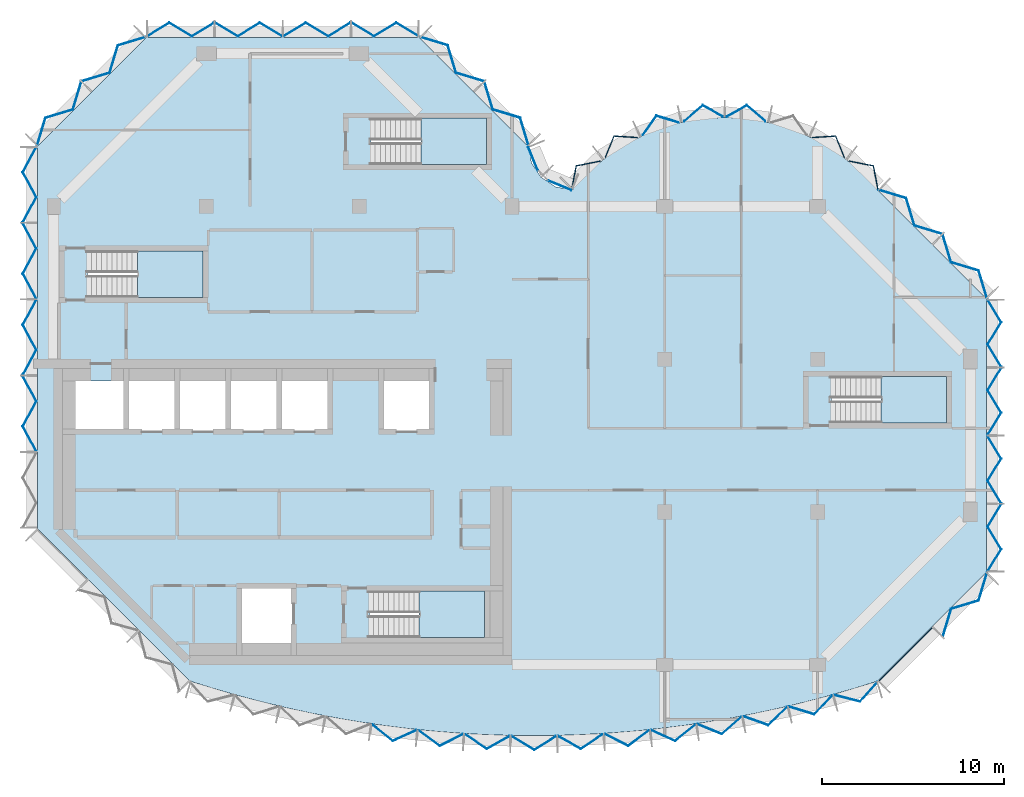
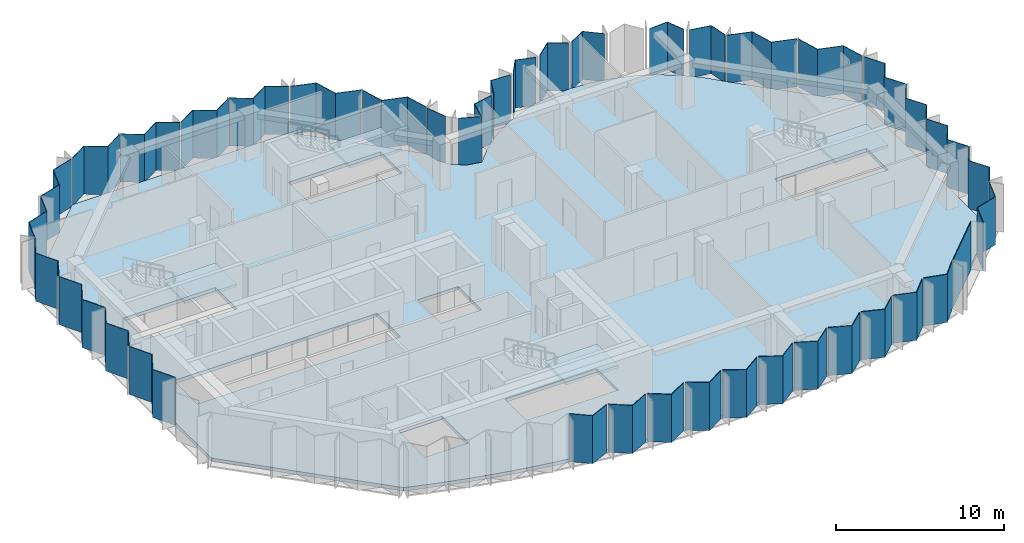
# One storey, part 3 of 10: 40 plates, 5 slabs, 14 elements without a shape of their own.
"""IFC4 building model written with IfcOpenShell, lengths in metres."""

import ifcopenshell
import ifcopenshell.guid

model = None  # the IFC model being written
_history = None  # IfcOwnerHistory: only IFC2X3 demands one
_inside = {}  # id of a spatial element -> (the spatial element, [elements in it])
_under = {}  # id of a project, library or spatial element -> (it, [spatial elements below it])
_declared = {}  # id of a project -> (the project, [libraries it declares])
_typed = {}  # id of a type object -> (the type object, [elements of that type])
_made_of = {}  # id of a material, layer set ... -> (it, [elements and type objects made of it])


def new_model(schema):
    """Start an empty IFC model of exactly this schema.

    Asked for "IFC4X3", IfcOpenShell would pick the latest addendum, in which some entities
    have other attributes; the version numbers below select the first issue.
    IFC2X3 requires an IfcOwnerHistory on every rooted entity: one is made here for all.
    """
    global model, _history
    if schema == "IFC4X3":
        model = ifcopenshell.file(schema_version=(4, 3, 0, 0))
    else:
        model = ifcopenshell.file(schema=schema)
    _inside.clear()
    _under.clear()
    _declared.clear()
    _typed.clear()
    _made_of.clear()
    _history = None
    if model.schema == "IFC2X3":
        org = make("IfcOrganization", Name="unknown")
        user = make(
            "IfcPersonAndOrganization",
            ThePerson=make("IfcPerson", FamilyName="unknown"),
            TheOrganization=org,
        )
        app = make(
            "IfcApplication",
            ApplicationDeveloper=org,
            Version="unknown",
            ApplicationFullName="unknown",
            ApplicationIdentifier="unknown",
        )
        _history = make(
            "IfcOwnerHistory",
            OwningUser=user,
            OwningApplication=app,
            ChangeAction="ADDED",
            CreationDate=0,
        )
    return model


def make(cls, **values):
    """One entity of the class cls with the attributes given. An attribute that is None is left unset."""
    return model.create_entity(
        cls, **{name: value for name, value in values.items() if value is not None}
    )


def rooted(cls, **values):
    """An entity with a GlobalId (a new one), such as an element, a storey or a relation."""
    return make(cls, GlobalId=ifcopenshell.guid.new(), OwnerHistory=_history, **values)


def si_unit(unit_type, name, prefix=None):
    """IfcSIUnit, for example si_unit("LENGTHUNIT", "METRE", prefix="MILLI")."""
    return make("IfcSIUnit", UnitType=unit_type, Prefix=prefix, Name=name)


def assignment(units):
    """IfcUnitAssignment: the units of a project."""
    return None if units is None else make("IfcUnitAssignment", Units=units)


def point(xyz):
    """IfcCartesianPoint."""
    return None if xyz is None else make("IfcCartesianPoint", Coordinates=xyz)


def direction(xyz):
    """IfcDirection."""
    return None if xyz is None else make("IfcDirection", DirectionRatios=xyz)


def frame(location, z_axis=None, x_axis=None):
    """IfcAxis2Placement3D, a coordinate frame: its origin and axes. An axis left out is left unset."""
    return make(
        "IfcAxis2Placement3D",
        Location=point(location),
        Axis=direction(z_axis),
        RefDirection=direction(x_axis),
    )


def origin():
    """The frame at (0, 0, 0) with its axes left unset."""
    return frame((0.0, 0.0, 0.0))


def place(relative_to, where):
    """IfcLocalPlacement: puts the frame where relative to a parent placement (None: the world)."""
    return make(
        "IfcLocalPlacement", PlacementRelTo=relative_to, RelativePlacement=where
    )


def context(
    kind, dimensions, precision=None, world=None, true_north=None, identifier=None
):
    """IfcGeometricRepresentationContext, for example the 3D "Model" context."""
    return make(
        "IfcGeometricRepresentationContext",
        ContextIdentifier=identifier,
        ContextType=kind,
        CoordinateSpaceDimension=dimensions,
        Precision=precision,
        WorldCoordinateSystem=world,
        TrueNorth=true_north,
    )


def subcontext(parent, identifier, kind, view, scale=None):
    """IfcGeometricRepresentationSubContext, for example "Body" below "Model"."""
    return make(
        "IfcGeometricRepresentationSubContext",
        ContextIdentifier=identifier,
        ContextType=kind,
        ParentContext=parent,
        TargetScale=scale,
        TargetView=view,
    )


def project(units=None, contexts=None):
    """IfcProject with its units and contexts."""
    return rooted(
        "IfcProject",
        Name="project",
        RepresentationContexts=contexts,
        UnitsInContext=assignment(units),
    )


def spatial(cls, under=None, at=None, **own):
    """A site, building, storey or space (cls), placed at a placement, below another one or the project."""
    s = rooted(cls, ObjectPlacement=at, **own)
    if under is not None:
        _under.setdefault(under.id(), (under, []))[1].append(s)
    return s


def polyline(points):
    """IfcPolyline through the points."""
    return make("IfcPolyline", Points=[point(p) for p in points])


def outline(outer, holes=None, kind="AREA"):
    """IfcArbitraryClosedProfileDef: a profile drawn as a closed curve; with holes, ...WithVoids."""
    if holes is None:
        return make("IfcArbitraryClosedProfileDef", ProfileType=kind, OuterCurve=outer)
    return make(
        "IfcArbitraryProfileDefWithVoids",
        ProfileType=kind,
        OuterCurve=outer,
        InnerCurves=holes,
    )


def extrude(swept, where, along, depth):
    """IfcExtrudedAreaSolid: the profile swept, set in the frame where, extruded along a direction by depth."""
    return make(
        "IfcExtrudedAreaSolid",
        SweptArea=swept,
        Position=where,
        ExtrudedDirection=direction(along),
        Depth=depth,
    )


def shape(context_of_items, identifier, shape_type, items):
    """IfcShapeRepresentation: the items that make up one representation, for example the "Body"."""
    return make(
        "IfcShapeRepresentation",
        ContextOfItems=context_of_items,
        RepresentationIdentifier=identifier,
        RepresentationType=shape_type,
        Items=items,
    )


def material(Name=None, Category=None):
    """IfcMaterial."""
    return make("IfcMaterial", Name=Name, Category=Category)


def layer(
    of_material, thickness, ventilated=None, Name=None, Category=None, Priority=None
):
    """IfcMaterialLayer: one layer of a wall or slab, of a material (None: an air gap)."""
    return make(
        "IfcMaterialLayer",
        Material=of_material,
        LayerThickness=thickness,
        IsVentilated=ventilated,
        Name=Name,
        Category=Category,
        Priority=Priority,
    )


def layer_set(layers, Name=None):
    """IfcMaterialLayerSet."""
    return make("IfcMaterialLayerSet", MaterialLayers=layers, LayerSetName=Name)


def made_of(thing, what):
    """Note that an element or type object is made of a material, layer set ...; save() writes the relation."""
    if what is not None:
        _made_of.setdefault(what.id(), (what, []))[1].append(thing)
    return thing


def type_object(cls, material=None, **own):
    """A type object (cls), such as IfcWallType, which elements share."""
    return made_of(rooted(cls, **own), material)


def element(
    cls,
    number,
    at=None,
    inside=None,
    cuts=None,
    type_object=None,
    material=None,
    context=None,
    identifier="Body",
    shape_type=None,
    held_by="IfcProductDefinitionShape",
    body=None,
    shapes=None,
    **own,
):
    """One element of the class cls, such as IfcWall. Its Tag is "e" and its number.

    at: its placement. inside: the storey or other place that contains it. cuts: it is an
    opening in that element (IfcRelVoidsElement). A single representation is given by context,
    identifier, shape_type and body (its items); several are given by shapes. held_by: the class
    of the entity that holds the representations. save() writes the other relations.
    """
    e = rooted(cls, Tag="e%d" % number, ObjectPlacement=at, **own)
    if body is not None:
        shapes = [shape(context, identifier, shape_type, body)]
    if shapes is not None:
        e.Representation = make(held_by, Representations=shapes)
    if inside is not None:
        _inside.setdefault(inside.id(), (inside, []))[1].append(e)
    if cuts is not None:
        rooted(
            "IfcRelVoidsElement", RelatingBuildingElement=cuts, RelatedOpeningElement=e
        )
    if type_object is not None:
        _typed.setdefault(type_object.id(), (type_object, []))[1].append(e)
    return made_of(e, material)


def aggregate(whole, parts):
    """IfcRelAggregates: a whole, such as a stair, and the parts it consists of."""
    return rooted("IfcRelAggregates", RelatingObject=whole, RelatedObjects=parts)


def save(model, path):
    """Write the relations noted so far, then the file.

    IfcRelAggregates (storeys below a building ...), IfcRelContainedInSpatialStructure (elements
    in a storey), IfcRelDefinesByType, IfcRelAssociatesMaterial and IfcRelDeclares: one each for
    every whole, place, type object, material and project.
    """
    for whole, parts in _under.values():
        aggregate(whole, parts)
    for where, things in _inside.values():
        rooted(
            "IfcRelContainedInSpatialStructure",
            RelatedElements=things,
            RelatingStructure=where,
        )
    for kind, things in _typed.values():
        rooted("IfcRelDefinesByType", RelatedObjects=things, RelatingType=kind)
    for what, things in _made_of.values():
        rooted("IfcRelAssociatesMaterial", RelatedObjects=things, RelatingMaterial=what)
    for by, libraries in _declared.values():
        rooted("IfcRelDeclares", RelatingContext=by, RelatedDefinitions=libraries)
    model.write(path)


model = new_model("IFC4")

# Units and contexts
model_context = context("Model", 3, precision=1e-05, world=origin(), true_north=direction((0.0, 1.0)))
body_context = subcontext(model_context, "Body", "Model", "MODEL_VIEW")
ifc_project = project(units=[si_unit("LENGTHUNIT", "METRE"), si_unit("AREAUNIT", "SQUARE_METRE"), si_unit("VOLUMEUNIT", "CUBIC_METRE"), si_unit("PLANEANGLEUNIT", "RADIAN"), si_unit("MASSUNIT", "GRAM", prefix="KILO")], contexts=[model_context])

# Site, building, storey
site_placement = place(None, origin())
site = spatial("IfcSite", under=ifc_project, at=site_placement, CompositionType="ELEMENT")
building_placement = place(site_placement, origin())
building = spatial("IfcBuilding", under=site, at=building_placement, Name="Brevane Broadcast Tower", CompositionType="ELEMENT")
storey_placement = place(building_placement, frame((0.0, 0.0, 233.699951171875)))
storey = spatial("IfcBuildingStorey", under=building, at=storey_placement, Name="L59", CompositionType="ELEMENT", Elevation=233.699951171875)

# Curtain wall, plates
ifc_material_1 = material(Name="Aluminium 6063-T6 bronze anodised", Category="aluminium")
curtain_wall_type = type_object("IfcCurtainWallType", Name="CW-1 curtain wall", PredefinedType="NOTDEFINED", material=ifc_material_1)
curtain_wall_1_placement = place(storey_placement, origin())
curtain_wall_1 = element("IfcCurtainWall", 1, at=curtain_wall_1_placement, inside=storey, type_object=curtain_wall_type, Name="CW-1 typical tilted unit L59 south bow", PredefinedType="NOTDEFINED")
ifc_material_2 = material(Name="Laminated glass bronze-tinted", Category="glass")
ifc_layer_1 = layer(ifc_material_2, 0.0400390625)
ifc_layer_set_1 = layer_set([ifc_layer_1], Name="CW tall glass panel 40")
plate_type = type_object("IfcPlateType", Name="CW tall glass panel 40", PredefinedType="CURTAIN_PANEL", material=ifc_layer_set_1)
plate_1_placement = place(storey_placement, frame((0.0, 0.0, -0.14990234375)))
plate_1 = element("IfcPlate", 2, at=plate_1_placement, type_object=plate_type, Name="CW-1 glass panel", PredefinedType="CURTAIN_PANEL", context=body_context, shape_type="SweptSolid", body=[
    extrude(outline(polyline([(17.534912109375, -3.273681640625), (17.528076171875, -3.319580078125), (18.63525390625, -4.211181640625), (19.926025390625, -3.623779296875), (19.930908203125, -3.57763671875), (18.64111328125, -4.164794921875), (17.534912109375, -3.273681640625)])), origin(), (0.0, 0.0, 1.0), 3.5),
])
plate_2_placement = place(storey_placement, frame((0.0, 0.0, -0.14990234375)))
plate_2 = element("IfcPlate", 3, at=plate_2_placement, type_object=plate_type, Name="CW-1 glass panel", PredefinedType="CURTAIN_PANEL", context=body_context, shape_type="SweptSolid", body=[
    extrude(outline(polyline([(20.07763671875, -3.593017578125), (20.07275390625, -3.638916015625), (21.21875, -4.48388671875), (22.4814453125, -3.843017578125), (22.484375, -3.796630859375), (21.22265625, -4.437255859375), (20.07763671875, -3.593017578125)])), origin(), (0.0, 0.0, 1.0), 3.5),
])
plate_3_placement = place(storey_placement, frame((0.0, 0.0, -0.14990234375)))
plate_3 = element("IfcPlate", 4, at=plate_3_placement, type_object=plate_type, Name="CW-1 glass panel", PredefinedType="CURTAIN_PANEL", context=body_context, shape_type="SweptSolid", body=[
    extrude(outline(polyline([(22.631591796875, -3.8056640625), (22.628662109375, -3.851806640625), (23.8115234375, -4.6484375), (25.043701171875, -3.955322265625), (25.044921875, -3.908935546875), (23.8134765625, -4.6015625), (22.631591796875, -3.8056640625)])), origin(), (0.0, 0.0, 1.0), 3.5),
])
plate_4_placement = place(storey_placement, frame((0.0, 0.0, -0.14990234375)))
plate_4 = element("IfcPlate", 5, at=plate_4_placement, type_object=plate_type, Name="CW-1 glass panel", PredefinedType="CURTAIN_PANEL", context=body_context, shape_type="SweptSolid", body=[
    extrude(outline(polyline([(25.1923828125, -3.91162109375), (25.19140625, -3.957763671875), (26.413818359375, -4.703369140625), (27.6181640625, -3.95849609375), (27.6171875, -3.912109375), (26.41357421875, -4.656494140625), (25.1923828125, -3.91162109375)])), origin(), (0.0, 0.0, 1.0), 3.5),
])
plate_5_placement = place(storey_placement, frame((0.0, 0.0, -0.14990234375)))
plate_5 = element("IfcPlate", 6, at=plate_5_placement, type_object=plate_type, Name="CW-1 glass panel", PredefinedType="CURTAIN_PANEL", context=body_context, shape_type="SweptSolid", body=[
    extrude(outline(polyline([(27.745849609375, -3.9091796875), (27.746826171875, -3.955810546875), (28.98388671875, -4.648681640625), (30.17138671875, -3.851806640625), (30.16845703125, -3.8056640625), (28.98193359375, -4.601806640625), (27.745849609375, -3.9091796875)])), origin(), (0.0, 0.0, 1.0), 3.5),
])
plate_6_placement = place(storey_placement, frame((0.0, 0.0, -0.14990234375)))
plate_6 = element("IfcPlate", 7, at=plate_6_placement, type_object=plate_type, Name="CW-1 glass panel", PredefinedType="CURTAIN_PANEL", context=body_context, shape_type="SweptSolid", body=[
    extrude(outline(polyline([(30.315673828125, -3.796630859375), (30.318603515625, -3.843017578125), (31.581298828125, -4.48388671875), (32.727294921875, -3.638916015625), (32.722412109375, -3.593017578125), (31.577392578125, -4.437255859375), (30.315673828125, -3.796630859375)])), origin(), (0.0, 0.0, 1.0), 3.5),
])
plate_7_placement = place(storey_placement, frame((0.0, 0.0, -0.14990234375)))
plate_7 = element("IfcPlate", 8, at=plate_7_placement, type_object=plate_type, Name="CW-1 glass panel", PredefinedType="CURTAIN_PANEL", context=body_context, shape_type="SweptSolid", body=[
    extrude(outline(polyline([(32.869140625, -3.57763671875), (32.8740234375, -3.623779296875), (34.164794921875, -4.211181640625), (35.27197265625, -3.319580078125), (35.26513671875, -3.273681640625), (34.158935546875, -4.164794921875), (32.869140625, -3.57763671875)])), origin(), (0.0, 0.0, 1.0), 3.5),
])
plate_8_placement = place(storey_placement, frame((0.0, 0.0, -0.14990234375)))
plate_8 = element("IfcPlate", 9, at=plate_8_placement, type_object=plate_type, Name="CW-1 glass panel", PredefinedType="CURTAIN_PANEL", context=body_context, shape_type="SweptSolid", body=[
    extrude(outline(polyline([(35.4111328125, -3.252197265625), (35.41796875, -3.298095703125), (36.73486328125, -3.830810546875), (37.80126953125, -2.894287109375), (37.79248046875, -2.8486328125), (36.726806640625, -3.78466796875), (35.4111328125, -3.252197265625)])), origin(), (0.0, 0.0, 1.0), 3.5),
])
plate_9_placement = place(storey_placement, frame((0.0, 0.0, -0.14990234375)))
plate_9 = element("IfcPlate", 10, at=plate_9_placement, type_object=plate_type, Name="CW-1 glass panel", PredefinedType="CURTAIN_PANEL", context=body_context, shape_type="SweptSolid", body=[
    extrude(outline(polyline([(37.9375, -2.82080078125), (37.946044921875, -2.866455078125), (39.28662109375, -3.343505859375), (40.310546875, -2.36376953125), (40.2998046875, -2.318603515625), (39.276611328125, -3.29736328125), (37.9375, -2.82080078125)])), origin(), (0.0, 0.0, 1.0), 3.5),
])
plate_10_placement = place(storey_placement, frame((0.0, 0.0, -0.14990234375)))
plate_10 = element("IfcPlate", 11, at=plate_10_placement, type_object=plate_type, Name="CW-1 glass panel", PredefinedType="CURTAIN_PANEL", context=body_context, shape_type="SweptSolid", body=[
    extrude(outline(polyline([(40.443603515625, -2.284423828125), (40.4541015625, -2.32958984375), (41.81591796875, -2.749755859375), (42.79541015625, -1.728759765625), (42.782958984375, -1.68408203125), (41.803955078125, -2.7041015625), (40.443603515625, -2.284423828125)])), origin(), (0.0, 0.0, 1.0), 3.5),
])
plate_11_placement = place(storey_placement, frame((0.0, 0.0, -0.14990234375)))
plate_11 = element("IfcPlate", 12, at=plate_11_placement, type_object=plate_type, Name="CW-1 glass panel", PredefinedType="CURTAIN_PANEL", context=body_context, shape_type="SweptSolid", body=[
    extrude(outline(polyline([(42.925048828125, -1.64404296875), (42.9375, -1.6884765625), (44.336669921875, -2.044921875), (45.287841796875, -0.980712890625), (45.2744140625, -0.935791015625), (44.322998046875, -2.000244140625), (42.925048828125, -1.64404296875)])), origin(), (0.0, 0.0, 1.0), 3.5),
])
aggregate(curtain_wall_1, [plate_1, plate_2, plate_3, plate_4, plate_5, plate_6, plate_7, plate_8, plate_9, plate_10, plate_11])

curtain_wall_2_placement = place(storey_placement, origin())
curtain_wall_2 = element("IfcCurtainWall", 13, at=curtain_wall_2_placement, inside=storey, type_object=curtain_wall_type, Name="CW-1 typical tilted unit L59 south-east chamfer", PredefinedType="NOTDEFINED")
plate_12_placement = place(storey_placement, frame((0.0, 0.0, -0.14990234375)))
plate_12 = element("IfcPlate", 14, at=plate_12_placement, type_object=plate_type, Name="CW-1 glass panel", PredefinedType="CURTAIN_PANEL", context=body_context, shape_type="SweptSolid", body=[
    extrude(outline(polyline([(45.345947265625, -0.896484375), (48.29638671875, 2.053955078125), (48.32470703125, 2.02587890625), (45.374267578125, -0.9248046875), (45.345947265625, -0.896484375)])), origin(), (0.0, 0.0, 1.0), 3.5),
])
plate_13_placement = place(storey_placement, frame((0.0, 0.0, -0.14990234375)))
plate_13 = element("IfcPlate", 15, at=plate_13_placement, type_object=plate_type, Name="CW-1 glass panel", PredefinedType="CURTAIN_PANEL", context=body_context, shape_type="SweptSolid", body=[
    extrude(outline(polyline([(48.870361328125, 1.5791015625), (48.902587890625, 1.547119140625), (49.359619140625, 3.056884765625), (50.869384765625, 3.513916015625), (51.32666015625, 5.02392578125), (51.294677734375, 5.055908203125), (50.83740234375, 3.546142578125), (49.32763671875, 3.0888671875), (48.870361328125, 1.5791015625)])), origin(), (0.0, 0.0, 1.0), 3.5),
])
aggregate(curtain_wall_2, [plate_12, plate_13])

curtain_wall_3_placement = place(storey_placement, origin())
curtain_wall_3 = element("IfcCurtainWall", 16, at=curtain_wall_3_placement, inside=storey, type_object=curtain_wall_type, Name="CW-1 typical tilted unit L59 east end", PredefinedType="NOTDEFINED")
plate_14_placement = place(storey_placement, frame((0.0, 0.0, -0.14990234375)))
plate_14 = element("IfcPlate", 17, at=plate_14_placement, type_object=plate_type, Name="CW-1 glass panel", PredefinedType="CURTAIN_PANEL", context=body_context, shape_type="SweptSolid", body=[
    extrude(outline(polyline([(51.32666015625, 5.135009765625), (51.373291015625, 5.135009765625), (52.117919921875, 6.36181640625), (51.373291015625, 7.58837890625), (52.117919921875, 8.81494140625), (52.071044921875, 8.81494140625), (51.32666015625, 7.58837890625), (52.071044921875, 6.36181640625), (51.32666015625, 5.135009765625)])), origin(), (0.0, 0.0, 1.0), 3.5),
])
plate_15_placement = place(storey_placement, frame((0.0, 0.0, -0.14990234375)))
plate_15 = element("IfcPlate", 18, at=plate_15_placement, type_object=plate_type, Name="CW-1 glass panel", PredefinedType="CURTAIN_PANEL", context=body_context, shape_type="SweptSolid", body=[
    extrude(outline(polyline([(52.071044921875, 8.885009765625), (52.117919921875, 8.885009765625), (51.373291015625, 10.11181640625), (52.117919921875, 11.33837890625), (51.373291015625, 12.56494140625), (51.32666015625, 12.56494140625), (52.071044921875, 11.33837890625), (51.32666015625, 10.11181640625), (52.071044921875, 8.885009765625)])), origin(), (0.0, 0.0, 1.0), 3.5),
])
plate_16_placement = place(storey_placement, frame((0.0, 0.0, -0.14990234375)))
plate_16 = element("IfcPlate", 19, at=plate_16_placement, type_object=plate_type, Name="CW-1 glass panel", PredefinedType="CURTAIN_PANEL", context=body_context, shape_type="SweptSolid", body=[
    extrude(outline(polyline([(51.32666015625, 12.635009765625), (51.373291015625, 12.635009765625), (52.117919921875, 13.86181640625), (51.373291015625, 15.08837890625), (52.117919921875, 16.31494140625), (52.071044921875, 16.31494140625), (51.32666015625, 15.08837890625), (52.071044921875, 13.86181640625), (51.32666015625, 12.635009765625)])), origin(), (0.0, 0.0, 1.0), 3.5),
])
plate_17_placement = place(storey_placement, frame((0.0, 0.0, -0.14990234375)))
plate_17 = element("IfcPlate", 20, at=plate_17_placement, type_object=plate_type, Name="CW-1 glass panel", PredefinedType="CURTAIN_PANEL", context=body_context, shape_type="SweptSolid", body=[
    extrude(outline(polyline([(52.071044921875, 16.385009765625), (52.117919921875, 16.385009765625), (51.373291015625, 17.61181640625), (52.117919921875, 18.83837890625), (51.373291015625, 20.06494140625), (51.32666015625, 20.06494140625), (52.071044921875, 18.83837890625), (51.32666015625, 17.61181640625), (52.071044921875, 16.385009765625)])), origin(), (0.0, 0.0, 1.0), 3.5),
])
aggregate(curtain_wall_3, [plate_14, plate_15, plate_16, plate_17])

curtain_wall_4_placement = place(storey_placement, origin())
curtain_wall_4 = element("IfcCurtainWall", 21, at=curtain_wall_4_placement, inside=storey, type_object=curtain_wall_type, Name="CW-1 typical tilted unit L59 north-east chamfer", PredefinedType="NOTDEFINED")
plate_18_placement = place(storey_placement, frame((0.0, 0.0, -0.14990234375)))
plate_18 = element("IfcPlate", 22, at=plate_18_placement, type_object=plate_type, Name="CW-1 glass panel", PredefinedType="CURTAIN_PANEL", context=body_context, shape_type="SweptSolid", body=[
    extrude(outline(polyline([(51.294677734375, 20.14404296875), (51.32666015625, 20.176025390625), (50.869384765625, 21.68603515625), (49.359619140625, 22.14306640625), (48.902587890625, 23.653076171875), (48.870361328125, 23.620849609375), (49.32763671875, 22.111083984375), (50.83740234375, 21.65380859375), (51.294677734375, 20.14404296875)])), origin(), (0.0, 0.0, 1.0), 3.5),
])
plate_19_placement = place(storey_placement, frame((0.0, 0.0, -0.14990234375)))
plate_19 = element("IfcPlate", 23, at=plate_19_placement, type_object=plate_type, Name="CW-1 glass panel", PredefinedType="CURTAIN_PANEL", context=body_context, shape_type="SweptSolid", body=[
    extrude(outline(polyline([(48.82080078125, 23.67041015625), (48.85302734375, 23.702392578125), (47.343017578125, 24.15966796875), (46.885986328125, 25.66943359375), (45.376220703125, 26.126708984375), (45.343994140625, 26.094482421875), (46.85400390625, 25.637451171875), (47.31103515625, 24.127685546875), (48.82080078125, 23.67041015625)])), origin(), (0.0, 0.0, 1.0), 3.5),
])
aggregate(curtain_wall_4, [plate_18, plate_19])

curtain_wall_5_placement = place(storey_placement, origin())
curtain_wall_5 = element("IfcCurtainWall", 24, at=curtain_wall_5_placement, inside=storey, type_object=curtain_wall_type, Name="CW-1 typical tilted unit L59 east bow", PredefinedType="NOTDEFINED")
plate_20_placement = place(storey_placement, frame((0.0, 0.0, -0.14990234375)))
plate_20 = element("IfcPlate", 25, at=plate_20_placement, type_object=plate_type, Name="CW-1 glass panel", PredefinedType="CURTAIN_PANEL", context=body_context, shape_type="SweptSolid", body=[
    extrude(outline(polyline([(45.2939453125, 26.14404296875), (45.327880859375, 26.17919921875), (45.086181640625, 27.447265625), (43.738525390625, 27.71142578125), (43.7109375, 27.67626953125), (45.052001953125, 27.4130859375), (45.2939453125, 26.14404296875)])), origin(), (0.0, 0.0, 1.0), 3.5),
])
plate_21_placement = place(storey_placement, frame((0.0, 0.0, -0.14990234375)))
plate_21 = element("IfcPlate", 26, at=plate_21_placement, type_object=plate_type, Name="CW-1 glass panel", PredefinedType="CURTAIN_PANEL", context=body_context, shape_type="SweptSolid", body=[
    extrude(outline(polyline([(43.45703125, 27.8759765625), (43.4853515625, 27.912109375), (43.00390625, 29.089111328125), (41.710693359375, 29.006591796875), (41.69091796875, 28.96533203125), (42.977783203125, 29.04736328125), (43.45703125, 27.8759765625)])), origin(), (0.0, 0.0, 1.0), 3.5),
])
plate_22_placement = place(storey_placement, frame((0.0, 0.0, -0.14990234375)))
plate_22 = element("IfcPlate", 27, at=plate_22_placement, type_object=plate_type, Name="CW-1 glass panel", PredefinedType="CURTAIN_PANEL", context=body_context, shape_type="SweptSolid", body=[
    extrude(outline(polyline([(39.125, 29.859619140625), (39.13525390625, 29.903564453125), (38.116943359375, 30.779296875), (37.008056640625, 30.15869140625), (37.008056640625, 30.11279296875), (38.112060546875, 30.730712890625), (39.125, 29.859619140625)])), origin(), (0.0, 0.0, 1.0), 3.5),
])
plate_23_placement = place(storey_placement, frame((0.0, 0.0, -0.14990234375)))
plate_23 = element("IfcPlate", 28, at=plate_23_placement, type_object=plate_type, Name="CW-1 glass panel", PredefinedType="CURTAIN_PANEL", context=body_context, shape_type="SweptSolid", body=[
    extrude(outline(polyline([(36.7919921875, 30.11279296875), (36.7919921875, 30.15869140625), (35.68310546875, 30.779296875), (34.664794921875, 29.903564453125), (34.6748046875, 29.859619140625), (35.68798828125, 30.730712890625), (36.7919921875, 30.11279296875)])), origin(), (0.0, 0.0, 1.0), 3.5),
])
plate_24_placement = place(storey_placement, frame((0.0, 0.0, -0.14990234375)))
plate_24 = element("IfcPlate", 29, at=plate_24_placement, type_object=plate_type, Name="CW-1 glass panel", PredefinedType="CURTAIN_PANEL", context=body_context, shape_type="SweptSolid", body=[
    extrude(outline(polyline([(34.359619140625, 29.78857421875), (34.349365234375, 29.83349609375), (33.132080078125, 30.20166015625), (32.381103515625, 29.1455078125), (32.400634765625, 29.104248046875), (33.148193359375, 30.155029296875), (34.359619140625, 29.78857421875)])), origin(), (0.0, 0.0, 1.0), 3.5),
])
plate_25_placement = place(storey_placement, frame((0.0, 0.0, -0.14990234375)))
plate_25 = element("IfcPlate", 30, at=plate_25_placement, type_object=plate_type, Name="CW-1 glass panel", PredefinedType="CURTAIN_PANEL", context=body_context, shape_type="SweptSolid", body=[
    extrude(outline(polyline([(32.10888671875, 28.96533203125), (32.08935546875, 29.006591796875), (30.7958984375, 29.089111328125), (30.314697265625, 27.912109375), (30.343017578125, 27.8759765625), (30.822265625, 29.04736328125), (32.10888671875, 28.96533203125)])), origin(), (0.0, 0.0, 1.0), 3.5),
])
plate_26_placement = place(storey_placement, frame((0.0, 0.0, -0.14990234375)))
plate_26 = element("IfcPlate", 31, at=plate_26_placement, type_object=plate_type, Name="CW-1 glass panel", PredefinedType="CURTAIN_PANEL", context=body_context, shape_type="SweptSolid", body=[
    extrude(outline(polyline([(30.089111328125, 27.67626953125), (30.0615234375, 27.71142578125), (28.7138671875, 27.447265625), (28.471923828125, 26.17919921875), (28.506103515625, 26.14404296875), (28.748046875, 27.4130859375), (30.089111328125, 27.67626953125)])), origin(), (0.0, 0.0, 1.0), 3.5),
])
aggregate(curtain_wall_5, [plate_20, plate_21, plate_22, plate_23, plate_24, plate_25, plate_26])

curtain_wall_6_placement = place(storey_placement, origin())
curtain_wall_6 = element("IfcCurtainWall", 32, at=curtain_wall_6_placement, inside=storey, type_object=curtain_wall_type, Name="CW-1 typical tilted unit L59 inner corner", PredefinedType="NOTDEFINED")
plate_27_placement = place(storey_placement, frame((0.0, 0.0, -0.14990234375)))
plate_27 = element("IfcPlate", 33, at=plate_27_placement, type_object=plate_type, Name="CW-1 glass panel", PredefinedType="CURTAIN_PANEL", context=body_context, shape_type="SweptSolid", body=[
    extrude(outline(polyline([(28.45166015625, 26.07470703125), (28.466796875, 26.111572265625), (27.2021484375, 26.635498046875), (27.17138671875, 26.60498046875), (28.45166015625, 26.07470703125)])), origin(), (0.0, 0.0, 1.0), 3.5),
])
plate_28_placement = place(storey_placement, frame((0.0, 0.0, -0.14990234375)))
plate_28 = element("IfcPlate", 34, at=plate_28_placement, type_object=plate_type, Name="CW-1 glass panel", PredefinedType="CURTAIN_PANEL", context=body_context, shape_type="SweptSolid", body=[
    extrude(outline(polyline([(26.60498046875, 27.17138671875), (26.635498046875, 27.2021484375), (26.111572265625, 28.466796875), (26.07470703125, 28.45166015625), (26.60498046875, 27.17138671875)])), origin(), (0.0, 0.0, 1.0), 3.5),
])
aggregate(curtain_wall_6, [plate_27, plate_28])

curtain_wall_7_placement = place(storey_placement, origin())
curtain_wall_7 = element("IfcCurtainWall", 35, at=curtain_wall_7_placement, inside=storey, type_object=curtain_wall_type, Name="CW-1 typical tilted unit L59 north arm north-east chamfer", PredefinedType="NOTDEFINED")
plate_29_placement = place(storey_placement, frame((0.0, 0.0, -0.14990234375)))
plate_29 = element("IfcPlate", 36, at=plate_29_placement, type_object=plate_type, Name="CW-1 glass panel", PredefinedType="CURTAIN_PANEL", context=body_context, shape_type="SweptSolid", body=[
    extrude(outline(polyline([(26.094482421875, 28.544189453125), (26.126708984375, 28.576171875), (25.66943359375, 30.0859375), (24.15966796875, 30.543212890625), (23.702392578125, 32.052978515625), (23.67041015625, 32.02099609375), (24.127685546875, 30.510986328125), (25.637451171875, 30.053955078125), (26.094482421875, 28.544189453125)])), origin(), (0.0, 0.0, 1.0), 3.5),
])
plate_30_placement = place(storey_placement, frame((0.0, 0.0, -0.14990234375)))
plate_30 = element("IfcPlate", 37, at=plate_30_placement, type_object=plate_type, Name="CW-1 glass panel", PredefinedType="CURTAIN_PANEL", context=body_context, shape_type="SweptSolid", body=[
    extrude(outline(polyline([(23.620849609375, 32.0703125), (23.653076171875, 32.1025390625), (22.14306640625, 32.5595703125), (21.68603515625, 34.069580078125), (20.176025390625, 34.526611328125), (20.14404296875, 34.49462890625), (21.65380859375, 34.037353515625), (22.111083984375, 32.527587890625), (23.620849609375, 32.0703125)])), origin(), (0.0, 0.0, 1.0), 3.5),
])
aggregate(curtain_wall_7, [plate_29, plate_30])

curtain_wall_8_placement = place(storey_placement, origin())
curtain_wall_8 = element("IfcCurtainWall", 38, at=curtain_wall_8_placement, inside=storey, type_object=curtain_wall_type, Name="CW-1 typical tilted unit L59 north end", PredefinedType="NOTDEFINED")
plate_31_placement = place(storey_placement, frame((0.0, 0.0, -0.14990234375)))
plate_31 = element("IfcPlate", 39, at=plate_31_placement, type_object=plate_type, Name="CW-1 glass panel", PredefinedType="CURTAIN_PANEL", context=body_context, shape_type="SweptSolid", body=[
    extrude(outline(polyline([(20.06494140625, 34.526611328125), (20.06494140625, 34.573486328125), (18.83837890625, 35.31787109375), (17.61181640625, 34.573486328125), (16.385009765625, 35.31787109375), (16.385009765625, 35.27099609375), (17.61181640625, 34.526611328125), (18.83837890625, 35.27099609375), (20.06494140625, 34.526611328125)])), origin(), (0.0, 0.0, 1.0), 3.5),
])
plate_32_placement = place(storey_placement, frame((0.0, 0.0, -0.14990234375)))
plate_32 = element("IfcPlate", 40, at=plate_32_placement, type_object=plate_type, Name="CW-1 glass panel", PredefinedType="CURTAIN_PANEL", context=body_context, shape_type="SweptSolid", body=[
    extrude(outline(polyline([(16.31494140625, 35.27099609375), (16.31494140625, 35.31787109375), (15.08837890625, 34.573486328125), (13.86181640625, 35.31787109375), (12.635009765625, 34.573486328125), (12.635009765625, 34.526611328125), (13.86181640625, 35.27099609375), (15.08837890625, 34.526611328125), (16.31494140625, 35.27099609375)])), origin(), (0.0, 0.0, 1.0), 3.5),
])
plate_33_placement = place(storey_placement, frame((0.0, 0.0, -0.14990234375)))
plate_33 = element("IfcPlate", 41, at=plate_33_placement, type_object=plate_type, Name="CW-1 glass panel", PredefinedType="CURTAIN_PANEL", context=body_context, shape_type="SweptSolid", body=[
    extrude(outline(polyline([(12.56494140625, 34.526611328125), (12.56494140625, 34.573486328125), (11.33837890625, 35.31787109375), (10.11181640625, 34.573486328125), (8.885009765625, 35.31787109375), (8.885009765625, 35.27099609375), (10.11181640625, 34.526611328125), (11.33837890625, 35.27099609375), (12.56494140625, 34.526611328125)])), origin(), (0.0, 0.0, 1.0), 3.5),
])
plate_34_placement = place(storey_placement, frame((0.0, 0.0, -0.14990234375)))
plate_34 = element("IfcPlate", 42, at=plate_34_placement, type_object=plate_type, Name="CW-1 glass panel", PredefinedType="CURTAIN_PANEL", context=body_context, shape_type="SweptSolid", body=[
    extrude(outline(polyline([(8.81494140625, 35.27099609375), (8.81494140625, 35.31787109375), (7.58837890625, 34.573486328125), (6.36181640625, 35.31787109375), (5.135009765625, 34.573486328125), (5.135009765625, 34.526611328125), (6.36181640625, 35.27099609375), (7.58837890625, 34.526611328125), (8.81494140625, 35.27099609375)])), origin(), (0.0, 0.0, 1.0), 3.5),
])
aggregate(curtain_wall_8, [plate_31, plate_32, plate_33, plate_34])

curtain_wall_9_placement = place(storey_placement, origin())
curtain_wall_9 = element("IfcCurtainWall", 43, at=curtain_wall_9_placement, inside=storey, type_object=curtain_wall_type, Name="CW-1 typical tilted unit L59 north-west chamfer", PredefinedType="NOTDEFINED")
plate_35_placement = place(storey_placement, frame((0.0, 0.0, -0.14990234375)))
plate_35 = element("IfcPlate", 44, at=plate_35_placement, type_object=plate_type, Name="CW-1 glass panel", PredefinedType="CURTAIN_PANEL", context=body_context, shape_type="SweptSolid", body=[
    extrude(outline(polyline([(5.055908203125, 34.49462890625), (5.02392578125, 34.526611328125), (3.513916015625, 34.069580078125), (3.056884765625, 32.5595703125), (1.547119140625, 32.1025390625), (1.5791015625, 32.0703125), (3.0888671875, 32.527587890625), (3.546142578125, 34.037353515625), (5.055908203125, 34.49462890625)])), origin(), (0.0, 0.0, 1.0), 3.5),
])
plate_36_placement = place(storey_placement, frame((0.0, 0.0, -0.14990234375)))
plate_36 = element("IfcPlate", 45, at=plate_36_placement, type_object=plate_type, Name="CW-1 glass panel", PredefinedType="CURTAIN_PANEL", context=body_context, shape_type="SweptSolid", body=[
    extrude(outline(polyline([(1.529541015625, 32.02099609375), (1.49755859375, 32.052978515625), (1.040283203125, 30.543212890625), (-0.469482421875, 30.0859375), (-0.926513671875, 28.576171875), (-0.89453125, 28.544189453125), (-0.4375, 30.053955078125), (1.072509765625, 30.510986328125), (1.529541015625, 32.02099609375)])), origin(), (0.0, 0.0, 1.0), 3.5),
])
aggregate(curtain_wall_9, [plate_35, plate_36])

curtain_wall_10_placement = place(storey_placement, origin())
curtain_wall_10 = element("IfcCurtainWall", 46, at=curtain_wall_10_placement, inside=storey, type_object=curtain_wall_type, Name="CW-1 typical tilted unit L59 west face", PredefinedType="NOTDEFINED")
plate_37_placement = place(storey_placement, frame((0.0, 0.0, -0.14990234375)))
plate_37 = element("IfcPlate", 47, at=plate_37_placement, type_object=plate_type, Name="CW-1 glass panel", PredefinedType="CURTAIN_PANEL", context=body_context, shape_type="SweptSolid", body=[
    extrude(outline(polyline([(-0.92724609375, 28.465087890625), (-0.97265625, 28.465087890625), (-1.717041015625, 27.08837890625), (-0.97265625, 25.711669921875), (-1.717041015625, 24.3349609375), (-1.671630859375, 24.3349609375), (-0.92724609375, 25.711669921875), (-1.671630859375, 27.08837890625), (-0.92724609375, 28.465087890625)])), origin(), (0.0, 0.0, 1.0), 3.5),
])
plate_38_placement = place(storey_placement, frame((0.0, 0.0, -0.14990234375)))
plate_38 = element("IfcPlate", 48, at=plate_38_placement, type_object=plate_type, Name="CW-1 glass panel", PredefinedType="CURTAIN_PANEL", context=body_context, shape_type="SweptSolid", body=[
    extrude(outline(polyline([(-1.671630859375, 24.264892578125), (-1.717041015625, 24.264892578125), (-0.97265625, 22.88818359375), (-1.717041015625, 21.51171875), (-0.97265625, 20.135009765625), (-0.92724609375, 20.135009765625), (-1.671630859375, 21.51171875), (-0.92724609375, 22.88818359375), (-1.671630859375, 24.264892578125)])), origin(), (0.0, 0.0, 1.0), 3.5),
])
plate_39_placement = place(storey_placement, frame((0.0, 0.0, -0.14990234375)))
plate_39 = element("IfcPlate", 49, at=plate_39_placement, type_object=plate_type, Name="CW-1 glass panel", PredefinedType="CURTAIN_PANEL", context=body_context, shape_type="SweptSolid", body=[
    extrude(outline(polyline([(-0.92724609375, 20.06494140625), (-0.97265625, 20.06494140625), (-1.717041015625, 18.688232421875), (-0.97265625, 17.311767578125), (-1.717041015625, 15.93505859375), (-1.671630859375, 15.93505859375), (-0.92724609375, 17.311767578125), (-1.671630859375, 18.688232421875), (-0.92724609375, 20.06494140625)])), origin(), (0.0, 0.0, 1.0), 3.5),
])
plate_40_placement = place(storey_placement, frame((0.0, 0.0, -0.14990234375)))
plate_40 = element("IfcPlate", 50, at=plate_40_placement, type_object=plate_type, Name="CW-1 glass panel", PredefinedType="CURTAIN_PANEL", context=body_context, shape_type="SweptSolid", body=[
    extrude(outline(polyline([(-1.671630859375, 15.864990234375), (-1.717041015625, 15.864990234375), (-0.97265625, 14.48828125), (-1.717041015625, 13.11181640625), (-0.97265625, 11.735107421875), (-0.92724609375, 11.735107421875), (-1.671630859375, 13.11181640625), (-0.92724609375, 14.48828125), (-1.671630859375, 15.864990234375)])), origin(), (0.0, 0.0, 1.0), 3.5),
])
aggregate(curtain_wall_10, [plate_37, plate_38, plate_39, plate_40])

# Stair, slab
ifc_material_3 = material(Name="Concrete C50/60", Category="concrete")
stair_type = type_object("IfcStairType", Name="Exit stair 22 risers", PredefinedType="HALF_TURN_STAIR", material=ifc_material_3)
stair_1_placement = place(storey_placement, origin())
stair_1 = element("IfcStair", 51, at=stair_1_placement, inside=storey, type_object=stair_type, Name="L59 Exit stair ST-1", PredefinedType="HALF_TURN_STAIR")
ifc_layer_2 = layer(ifc_material_3, 0.199951171875)
ifc_layer_set_2 = layer_set([ifc_layer_2], Name="Exit stair landing")
slab_type_1 = type_object("IfcSlabType", Name="Exit stair landing", PredefinedType="LANDING", material=ifc_layer_set_2)
slab_1_placement = place(storey_placement, frame((0.0, 0.0, 1.60009765625)))
slab_1 = element("IfcSlab", 52, at=slab_1_placement, type_object=slab_type_1, Name="ST-1 landing 1", PredefinedType="LANDING", context=body_context, shape_type="SweptSolid", body=[
    extrude(outline(polyline([(4.60009765625, 20.199951171875), (8.199951171875, 20.199951171875), (8.199951171875, 22.75), (4.60009765625, 22.75), (4.60009765625, 20.199951171875)])), origin(), (0.0, 0.0, 1.0), 0.199951171875),
])
aggregate(stair_1, [slab_1])

stair_2_placement = place(storey_placement, origin())
stair_2 = element("IfcStair", 53, at=stair_2_placement, inside=storey, type_object=stair_type, Name="L59 Exit stair ST-2", PredefinedType="HALF_TURN_STAIR")
slab_2_placement = place(storey_placement, frame((0.0, 0.0, 1.60009765625)))
slab_2 = element("IfcSlab", 54, at=slab_2_placement, type_object=slab_type_1, Name="ST-2 landing 1", PredefinedType="LANDING", context=body_context, shape_type="SweptSolid", body=[
    extrude(outline(polyline([(20.10009765625, 1.5), (23.699951171875, 1.5), (23.699951171875, 4.050048828125), (20.10009765625, 4.050048828125), (20.10009765625, 1.5)])), origin(), (0.0, 0.0, 1.0), 0.199951171875),
])
aggregate(stair_2, [slab_2])

stair_3_placement = place(storey_placement, origin())
stair_3 = element("IfcStair", 55, at=stair_3_placement, inside=storey, type_object=stair_type, Name="L59 Exit stair ST-3", PredefinedType="HALF_TURN_STAIR")
slab_3_placement = place(storey_placement, frame((0.0, 0.0, 1.60009765625)))
slab_3 = element("IfcSlab", 56, at=slab_3_placement, type_object=slab_type_1, Name="ST-3 landing 1", PredefinedType="LANDING", context=body_context, shape_type="SweptSolid", body=[
    extrude(outline(polyline([(20.199951171875, 27.5), (23.800048828125, 27.5), (23.800048828125, 30.050048828125), (20.199951171875, 30.050048828125), (20.199951171875, 27.5)])), origin(), (0.0, 0.0, 1.0), 0.199951171875),
])
aggregate(stair_3, [slab_3])

stair_4_placement = place(storey_placement, origin())
stair_4 = element("IfcStair", 57, at=stair_4_placement, inside=storey, type_object=stair_type, Name="L59 Exit stair ST-4", PredefinedType="HALF_TURN_STAIR")
slab_4_placement = place(storey_placement, frame((0.0, 0.0, 1.60009765625)))
slab_4 = element("IfcSlab", 58, at=slab_4_placement, type_object=slab_type_1, Name="ST-4 landing 1", PredefinedType="LANDING", context=body_context, shape_type="SweptSolid", body=[
    extrude(outline(polyline([(45.5, 13.300048828125), (49.10009765625, 13.300048828125), (49.10009765625, 15.85009765625), (45.5, 15.85009765625), (45.5, 13.300048828125)])), origin(), (0.0, 0.0, 1.0), 0.199951171875),
])
aggregate(stair_4, [slab_4])

# Slab
ifc_material_4 = material(Name="Concrete C40/50", Category="concrete")
ifc_layer_3 = layer(ifc_material_4, 0.25)
ifc_layer_set_3 = layer_set([ifc_layer_3], Name="RC FLOOR SLAB 250 C40/50")
slab_type_2 = type_object("IfcSlabType", Name="RC FLOOR SLAB 250 C40/50", PredefinedType="FLOOR", material=ifc_layer_set_3)
slab_5_placement = place(storey_placement, frame((0.0, 0.0, -0.25)))
element("IfcSlab", 59, at=slab_5_placement, inside=storey, type_object=slab_type_2, Name="SL250 L59", PredefinedType="FLOOR", context=body_context, shape_type="SweptSolid", body=[
    extrude(outline(polyline([(-0.89990234375, 7.5), (-0.89990234375, 28.5), (5.10009765625, 34.5), (20.10009765625, 34.5), (26.10009765625, 28.5), (26.28271484375, 27.58154296875), (26.802978515625, 26.802978515625), (27.58154296875, 26.28271484375), (28.5, 26.10009765625), (29.431396484375, 27.10888671875), (30.48291015625, 27.99169921875), (31.6376953125, 28.734130859375), (32.877197265625, 29.324462890625), (34.181640625, 29.7529296875), (35.52978515625, 30.012939453125), (36.89990234375, 30.10009765625), (38.270263671875, 30.012939453125), (39.618408203125, 29.7529296875), (40.922607421875, 29.324462890625), (42.162353515625, 28.734130859375), (43.317138671875, 27.99169921875), (44.36865234375, 27.10888671875), (45.300048828125, 26.10009765625), (51.300048828125, 20.10009765625), (51.300048828125, 5.10009765625), (45.300048828125, -0.89990234375), (43.990234375, -1.310302734375), (42.671630859375, -1.691162109375), (41.3447265625, -2.0419921875), (40.01025390625, -2.36328125), (38.6689453125, -2.654052734375), (37.3212890625, -2.9150390625), (35.96826171875, -3.145263671875), (34.6103515625, -3.34521484375), (33.248291015625, -3.5146484375), (31.8828125, -3.6533203125), (30.5146484375, -3.76123046875), (29.144287109375, -3.83837890625), (27.7724609375, -3.884521484375), (26.39990234375, -3.89990234375), (25.027587890625, -3.884521484375), (23.65576171875, -3.83837890625), (22.285400390625, -3.76123046875), (20.917236328125, -3.6533203125), (19.5517578125, -3.5146484375), (18.189697265625, -3.34521484375), (16.831787109375, -3.145263671875), (15.478759765625, -2.9150390625), (14.131103515625, -2.654052734375), (12.789794921875, -2.36328125), (11.455322265625, -2.0419921875), (10.12841796875, -1.691162109375), (8.809814453125, -1.310302734375), (7.5, -0.89990234375), (-0.89990234375, 7.5)]), holes=[polyline([(13.199951171875, 4.39990234375), (10.199951171875, 4.39990234375), (10.199951171875, 1.199951171875), (13.199951171875, 1.199951171875), (13.199951171875, 4.39990234375)]), polyline([(4.0, 15.60009765625), (1.199951171875, 15.60009765625), (1.199951171875, 12.800048828125), (4.0, 12.800048828125), (6.800048828125, 12.800048828125), (9.60009765625, 12.800048828125), (12.39990234375, 12.800048828125), (15.199951171875, 12.800048828125), (15.199951171875, 15.60009765625), (12.39990234375, 15.60009765625), (9.60009765625, 15.60009765625), (6.800048828125, 15.60009765625), (4.0, 15.60009765625)]), polyline([(1.860107421875, 22.75), (1.860107421875, 20.199951171875), (8.199951171875, 20.199951171875), (8.199951171875, 22.75), (1.860107421875, 22.75)]), polyline([(23.699951171875, 4.050048828125), (17.360107421875, 4.050048828125), (17.360107421875, 1.5), (23.699951171875, 1.5), (23.699951171875, 4.050048828125)]), polyline([(20.800048828125, 15.60009765625), (18.0, 15.60009765625), (18.0, 12.800048828125), (20.800048828125, 12.800048828125), (20.800048828125, 15.60009765625)]), polyline([(49.10009765625, 15.85009765625), (42.760009765625, 15.85009765625), (42.760009765625, 13.300048828125), (49.10009765625, 13.300048828125), (49.10009765625, 15.85009765625)]), polyline([(23.800048828125, 30.050048828125), (17.4599609375, 30.050048828125), (17.4599609375, 27.5), (23.800048828125, 27.5), (23.800048828125, 30.050048828125)])]), origin(), (0.0, 0.0, 1.0), 0.25),
])

save(model, "model.ifc")
